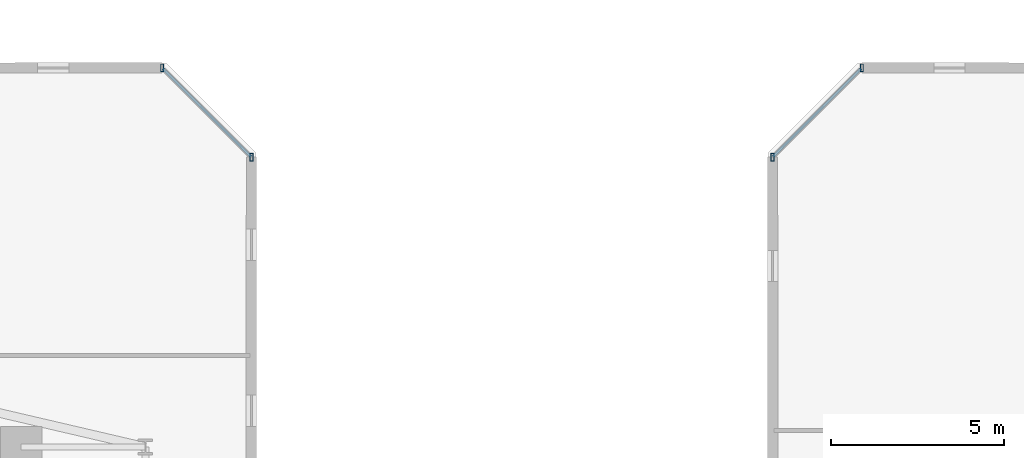
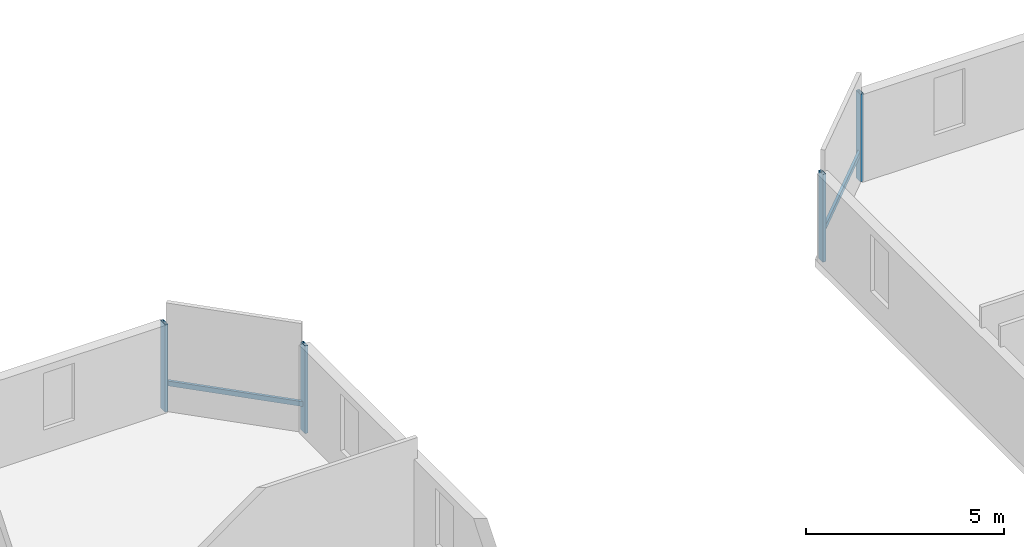
# One storey, part 10 of 31: 6 members, 2 elements without a shape of their own.
"""IFC4 building model written with IfcOpenShell, lengths in metres."""

from ifc_helpers import new_model, si_unit, direction, frame, origin, origin_2d, place, context, subcontext, project, spatial, hollow_rectangle, extrude, material, material_profile, profile_set, type_object, element, aggregate, save


model = new_model("IFC4")

# Units and contexts
model_context = context("Model", 3, precision=1e-05, world=origin(), true_north=direction((0.0, 1.0)))
body_context = subcontext(model_context, "Body", "Model", "MODEL_VIEW")
ifc_project = project(units=[si_unit("LENGTHUNIT", "METRE"), si_unit("AREAUNIT", "SQUARE_METRE"), si_unit("VOLUMEUNIT", "CUBIC_METRE"), si_unit("PLANEANGLEUNIT", "RADIAN"), si_unit("MASSUNIT", "GRAM", prefix="KILO")], contexts=[model_context])

# Site, building, storey
site_placement = place(None, origin())
site = spatial("IfcSite", under=ifc_project, at=site_placement, CompositionType="ELEMENT")
building_placement = place(site_placement, origin())
building = spatial("IfcBuilding", under=site, at=building_placement, Name="Thornwick Lancets Civic Towers", CompositionType="ELEMENT")
storey_placement = place(building_placement, frame((0.0, 0.0, 90.89990234375)))
storey = spatial("IfcBuildingStorey", under=building, at=storey_placement, Name="L23", CompositionType="ELEMENT", Elevation=90.89990234375)

# Curtain wall, members
ifc_material_1 = material(Name="Low-zone chamfered-corner unitised glass curtain wall", Category="glass")
curtain_wall_type = type_object("IfcCurtainWallType", Name="CW_SYS_03", PredefinedType="NOTDEFINED", material=ifc_material_1)
curtain_wall_1_placement = place(storey_placement, origin())
curtain_wall_1 = element("IfcCurtainWall", 1, at=curtain_wall_1_placement, inside=storey, type_object=curtain_wall_type, Name="L23 Curtain Wall CW-L23-A-E3", PredefinedType="NOTDEFINED")
ifc_material_2 = material(Name="Thermally broken bronze aluminium S355", Category="steel")
ifc_material_profile_1 = material_profile(ifc_material_2, hollow_rectangle(XDim=0.090087890625, YDim=0.219970703125, WallThickness=0.00634765625, at=origin_2d()), Name="RHS 220x90x6.3")
ifc_profile_set_1 = profile_set([ifc_material_profile_1], Name="Thermally broken bronze aluminium S355")
member_type_1 = type_object("IfcMemberType", Name="CW_MUL_220", PredefinedType="MULLION", material=ifc_profile_set_1)
member_1_placement = place(storey_placement, frame((49.464599609375, 48.38134765625, 0.0), z_axis=(0.0, 0.0, 1.0), x_axis=(1.0, 0.0, 0.0)))
member_1 = element("IfcMember", 2, at=member_1_placement, type_object=member_type_1, Name="CW-L23-A-E3 Mullion 0", PredefinedType="MULLION", context=body_context, shape_type="SweptSolid", body=[
    extrude(hollow_rectangle(XDim=0.090087890625, YDim=0.219970703125, WallThickness=0.00634765625, at=origin_2d()), origin(), (0.0, 0.0, 1.0), 2.7001953125),
])
member_2_placement = place(storey_placement, frame((46.88134765625, 50.964599609375, 0.0), z_axis=(0.0, 0.0, 1.0), x_axis=(1.0, 0.0, 0.0)))
member_2 = element("IfcMember", 3, at=member_2_placement, type_object=member_type_1, Name="CW-L23-A-E3 Mullion 1", PredefinedType="MULLION", context=body_context, shape_type="SweptSolid", body=[
    extrude(hollow_rectangle(XDim=0.090087890625, YDim=0.219970703125, WallThickness=0.00634765625, at=origin_2d()), origin(), (0.0, 0.0, 1.0), 2.7001953125),
])

curtain_wall_2_placement = place(storey_placement, origin())
curtain_wall_2 = element("IfcCurtainWall", 4, at=curtain_wall_2_placement, inside=storey, type_object=curtain_wall_type, Name="L23 Curtain Wall CW-L23-B-E5", PredefinedType="NOTDEFINED")
member_3_placement = place(storey_placement, frame((67.11865234375, 50.964599609375, 0.0), z_axis=(0.0, 0.0, 1.0), x_axis=(1.0, 0.0, 0.0)))
member_3 = element("IfcMember", 5, at=member_3_placement, type_object=member_type_1, Name="CW-L23-B-E5 Mullion 0", PredefinedType="MULLION", context=body_context, shape_type="SweptSolid", body=[
    extrude(hollow_rectangle(XDim=0.090087890625, YDim=0.219970703125, WallThickness=0.00634765625, at=origin_2d()), origin(), (0.0, 0.0, 1.0), 2.7001953125),
])
member_4_placement = place(storey_placement, frame((64.535400390625, 48.38134765625, 0.0), z_axis=(0.0, 0.0, 1.0), x_axis=(1.0, 0.0, 0.0)))
member_4 = element("IfcMember", 6, at=member_4_placement, type_object=member_type_1, Name="CW-L23-B-E5 Mullion 1", PredefinedType="MULLION", context=body_context, shape_type="SweptSolid", body=[
    extrude(hollow_rectangle(XDim=0.090087890625, YDim=0.219970703125, WallThickness=0.00634765625, at=origin_2d()), origin(), (0.0, 0.0, 1.0), 2.7001953125),
])

# Member
ifc_material_profile_2 = material_profile(ifc_material_2, hollow_rectangle(XDim=0.074951171875, YDim=0.14990234375, WallThickness=0.0048828125, at=origin_2d()), Name="RHS 150x75x5")
ifc_profile_set_2 = profile_set([ifc_material_profile_2], Name="Thermally broken bronze aluminium S355")
member_type_2 = type_object("IfcMemberType", Name="CW_TRN_150", PredefinedType="USERDEFINED", material=ifc_profile_set_2)
member_5_placement = place(storey_placement, frame((49.45068359375, 48.3955078125, 0.85009765625), z_axis=(-0.707106781187, 0.707106781187, 0.0), x_axis=(-0.707106781187, -0.707106781187, 0.0)))
member_5 = element("IfcMember", 7, at=member_5_placement, type_object=member_type_2, Name="CW-L23-A-E3 Transom 0", ObjectType="TRANSOM", PredefinedType="USERDEFINED", context=body_context, shape_type="SweptSolid", body=[
    extrude(hollow_rectangle(XDim=0.074951171875, YDim=0.14990234375, WallThickness=0.0048828125, at=origin_2d()), origin(), (0.0, 0.0, 1.0), 3.613525390625),
])

aggregate(curtain_wall_1, [member_1, member_2, member_5])

member_6_placement = place(storey_placement, frame((67.1044921875, 50.95068359375, 0.85009765625), z_axis=(-0.707106781187, -0.707106781187, 0.0), x_axis=(0.707106781187, -0.707106781187, 0.0)))
member_6 = element("IfcMember", 8, at=member_6_placement, type_object=member_type_2, Name="CW-L23-B-E5 Transom 0", ObjectType="TRANSOM", PredefinedType="USERDEFINED", context=body_context, shape_type="SweptSolid", body=[
    extrude(hollow_rectangle(XDim=0.074951171875, YDim=0.14990234375, WallThickness=0.0048828125, at=origin_2d()), origin(), (0.0, 0.0, 1.0), 3.613525390625),
])

aggregate(curtain_wall_2, [member_3, member_4, member_6])

save(model, "model.ifc")
